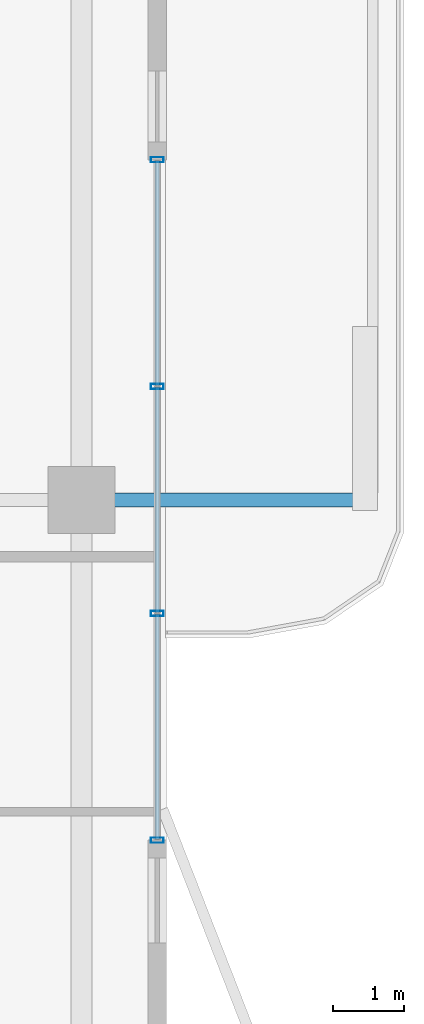
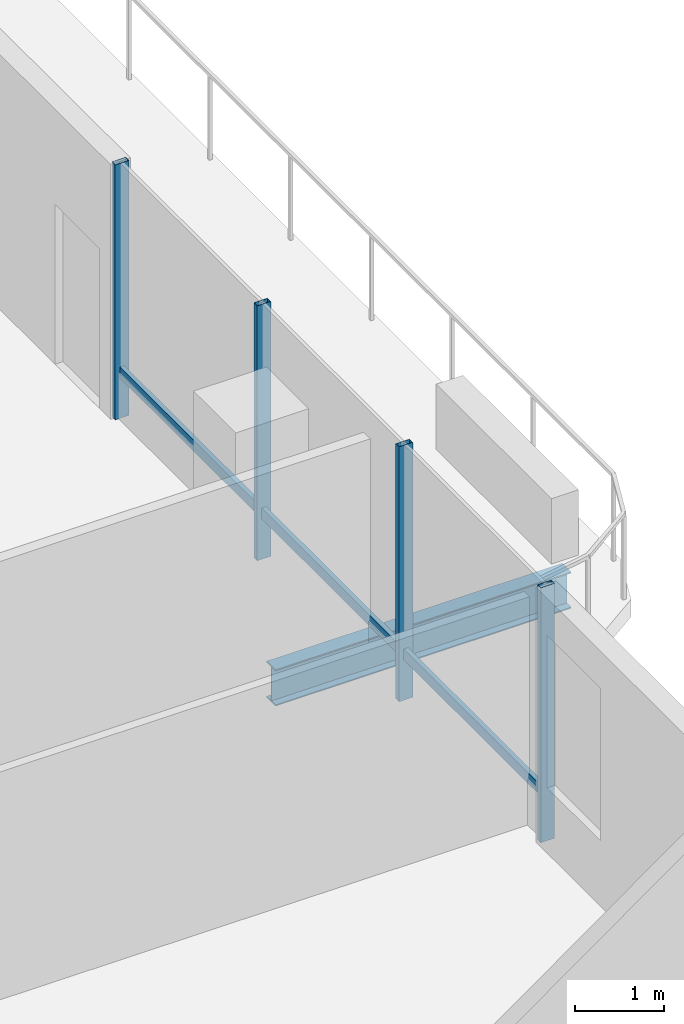
# One storey, part 8 of 18: 7 members, 1 beam, 1 element without a shape of its own.
"""IFC4 building model written with IfcOpenShell, lengths in metres."""

from ifc_helpers import new_model, si_unit, direction, frame, origin, origin_2d, place, context, subcontext, project, spatial, hollow_rectangle, i_section, extrude, material, layer, layer_set, material_profile, profile_set, type_object, element, aggregate, save


model = new_model("IFC4")

# Units and contexts
model_context = context("Model", 3, precision=1e-05, world=origin(), true_north=direction((0.0, 1.0)))
body_context = subcontext(model_context, "Body", "Model", "MODEL_VIEW")
ifc_project = project(units=[si_unit("LENGTHUNIT", "METRE"), si_unit("AREAUNIT", "SQUARE_METRE"), si_unit("VOLUMEUNIT", "CUBIC_METRE"), si_unit("PLANEANGLEUNIT", "RADIAN"), si_unit("MASSUNIT", "GRAM", prefix="KILO")], contexts=[model_context])

# Site, building, storey
site_placement = place(None, origin())
site = spatial("IfcSite", under=ifc_project, at=site_placement, CompositionType="ELEMENT")
building_placement = place(site_placement, origin())
building = spatial("IfcBuilding", under=site, at=building_placement, Name="Belovzor Exchange Tower", CompositionType="ELEMENT")
storey_placement = place(building_placement, frame((0.0, 0.0, 310.5)))
storey = spatial("IfcBuildingStorey", under=building, at=storey_placement, Name="L77", CompositionType="ELEMENT", Elevation=310.5)

# Beam
ifc_material_1 = material(Name="Steel S355", Category="steel")
ifc_material_profile_1 = material_profile(ifc_material_1, i_section(OverallWidth=0.199951171875, OverallDepth=0.5, WebThickness=0.01025390625, FlangeThickness=0.01611328125, at=origin_2d()))
ifc_profile_set_1 = profile_set([ifc_material_profile_1], Name="Steel S355")
beam_type = type_object("IfcBeamType", Name="Planted Balcony Cantilever Beam IPE 500", PredefinedType="BEAM", material=ifc_profile_set_1)
beam_placement = place(storey_placement, frame((50.660888671875, 28.800048828125, -0.489990234375), z_axis=(1.0, 0.0, 0.0), x_axis=(0.0, 1.0, 0.0)))
element("IfcBeam", 1, at=beam_placement, inside=storey, type_object=beam_type, Name="BC-500 Planted Balcony Cantilever Beam IPE 500", PredefinedType="BEAM", context=body_context, shape_type="SweptSolid", body=[
    extrude(i_section(OverallWidth=0.199951171875, OverallDepth=0.5, WebThickness=0.01025390625, FlangeThickness=0.01611328125, at=origin_2d()), origin(), (0.0, 0.0, 1.0), 3.85009765625),
])

# Curtain wall, members
ifc_material_2 = material(Name="Anodised Aluminium Framing", Category="aluminium")
ifc_layer = layer(ifc_material_2, 0.179931640625)
ifc_layer_set = layer_set([ifc_layer], Name="Anodised Aluminium Framing")
curtain_wall_type = type_object("IfcCurtainWallType", Name="Recessed Loggia Low-Iron Triple-Glazed Curtain Wall", PredefinedType="NOTDEFINED", material=ifc_layer_set)
curtain_wall_placement = place(storey_placement, origin())
curtain_wall = element("IfcCurtainWall", 2, at=curtain_wall_placement, inside=storey, type_object=curtain_wall_type, Name="CW3 Recessed Loggia Low-Iron Triple-Glazed Curtain Wall L77", PredefinedType="NOTDEFINED")
ifc_material_3 = material(Name="Steel S355", Category="steel")
ifc_material_profile_2 = material_profile(ifc_material_3, hollow_rectangle(XDim=0.074951171875, YDim=0.179931640625, WallThickness=0.0048828125, at=origin_2d()))
ifc_profile_set_2 = profile_set([ifc_material_profile_2], Name="Steel S355")
member_type_1 = type_object("IfcMemberType", Name="Thermally Broken Curtain Wall Mullion 180x75", PredefinedType="MULLION", material=ifc_profile_set_2)
member_1_placement = place(storey_placement, frame((51.469970703125, 33.60009765625, 0.0), z_axis=(0.0, 0.0, 1.0), x_axis=(0.0, -1.0, 0.0)))
member_1 = element("IfcMember", 3, at=member_1_placement, type_object=member_type_1, Name="CW-M180 Curtain Wall Mullion 1", PredefinedType="MULLION", context=body_context, shape_type="SweptSolid", body=[
    extrude(hollow_rectangle(XDim=0.074951171875, YDim=0.179931640625, WallThickness=0.0048828125, at=origin_2d()), origin(), (0.0, 0.0, 1.0), 3.510009765625),
])
member_2_placement = place(storey_placement, frame((51.469970703125, 30.39990234375, 0.0), z_axis=(0.0, 0.0, 1.0), x_axis=(0.0, -1.0, 0.0)))
member_2 = element("IfcMember", 4, at=member_2_placement, type_object=member_type_1, Name="CW-M180 Curtain Wall Mullion 2", PredefinedType="MULLION", context=body_context, shape_type="SweptSolid", body=[
    extrude(hollow_rectangle(XDim=0.074951171875, YDim=0.179931640625, WallThickness=0.0048828125, at=origin_2d()), origin(), (0.0, 0.0, 1.0), 3.510009765625),
])
member_3_placement = place(storey_placement, frame((51.469970703125, 27.199951171875, 0.0), z_axis=(0.0, 0.0, 1.0), x_axis=(0.0, -1.0, 0.0)))
member_3 = element("IfcMember", 5, at=member_3_placement, type_object=member_type_1, Name="CW-M180 Curtain Wall Mullion 3", PredefinedType="MULLION", context=body_context, shape_type="SweptSolid", body=[
    extrude(hollow_rectangle(XDim=0.074951171875, YDim=0.179931640625, WallThickness=0.0048828125, at=origin_2d()), origin(), (0.0, 0.0, 1.0), 3.510009765625),
])
member_4_placement = place(storey_placement, frame((51.469970703125, 24.0, 0.0), z_axis=(0.0, 0.0, 1.0), x_axis=(0.0, -1.0, 0.0)))
member_4 = element("IfcMember", 6, at=member_4_placement, type_object=member_type_1, Name="CW-M180 Curtain Wall Mullion 4", PredefinedType="MULLION", context=body_context, shape_type="SweptSolid", body=[
    extrude(hollow_rectangle(XDim=0.074951171875, YDim=0.179931640625, WallThickness=0.0048828125, at=origin_2d()), origin(), (0.0, 0.0, 1.0), 3.510009765625),
])
ifc_material_4 = material(Name="Steel S355", Category="steel")
ifc_material_profile_3 = material_profile(ifc_material_4, hollow_rectangle(XDim=0.06005859375, YDim=0.14990234375, WallThickness=0.00390625, at=origin_2d()))
ifc_profile_set_3 = profile_set([ifc_material_profile_3], Name="Steel S355")
member_type_2 = type_object("IfcMemberType", Name="Thermally Broken Curtain Wall Transom 150x60", PredefinedType="USERDEFINED", material=ifc_profile_set_3)
member_5_placement = place(storey_placement, frame((51.469970703125, 33.592041015625, 0.632080078125), z_axis=(0.0, -1.0, 0.0), x_axis=(1.0, 0.0, 0.0)))
member_5 = element("IfcMember", 7, at=member_5_placement, type_object=member_type_2, Name="CW-T150 Curtain Wall Transom 1", ObjectType="TRANSOM", PredefinedType="USERDEFINED", context=body_context, shape_type="SweptSolid", body=[
    extrude(hollow_rectangle(XDim=0.06005859375, YDim=0.14990234375, WallThickness=0.00390625, at=origin_2d()), origin(), (0.0, 0.0, 1.0), 3.18408203125),
])
member_6_placement = place(storey_placement, frame((51.469970703125, 30.39208984375, 0.632080078125), z_axis=(0.0, -1.0, 0.0), x_axis=(1.0, 0.0, 0.0)))
member_6 = element("IfcMember", 8, at=member_6_placement, type_object=member_type_2, Name="CW-T150 Curtain Wall Transom 2", ObjectType="TRANSOM", PredefinedType="USERDEFINED", context=body_context, shape_type="SweptSolid", body=[
    extrude(hollow_rectangle(XDim=0.06005859375, YDim=0.14990234375, WallThickness=0.00390625, at=origin_2d()), origin(), (0.0, 0.0, 1.0), 3.18408203125),
])
member_7_placement = place(storey_placement, frame((51.469970703125, 27.19189453125, 0.632080078125), z_axis=(0.0, -1.0, 0.0), x_axis=(1.0, 0.0, 0.0)))
member_7 = element("IfcMember", 9, at=member_7_placement, type_object=member_type_2, Name="CW-T150 Curtain Wall Transom 3", ObjectType="TRANSOM", PredefinedType="USERDEFINED", context=body_context, shape_type="SweptSolid", body=[
    extrude(hollow_rectangle(XDim=0.06005859375, YDim=0.14990234375, WallThickness=0.00390625, at=origin_2d()), origin(), (0.0, 0.0, 1.0), 3.183837890625),
])
aggregate(curtain_wall, [member_1, member_2, member_3, member_4, member_5, member_6, member_7])

save(model, "model.ifc")
